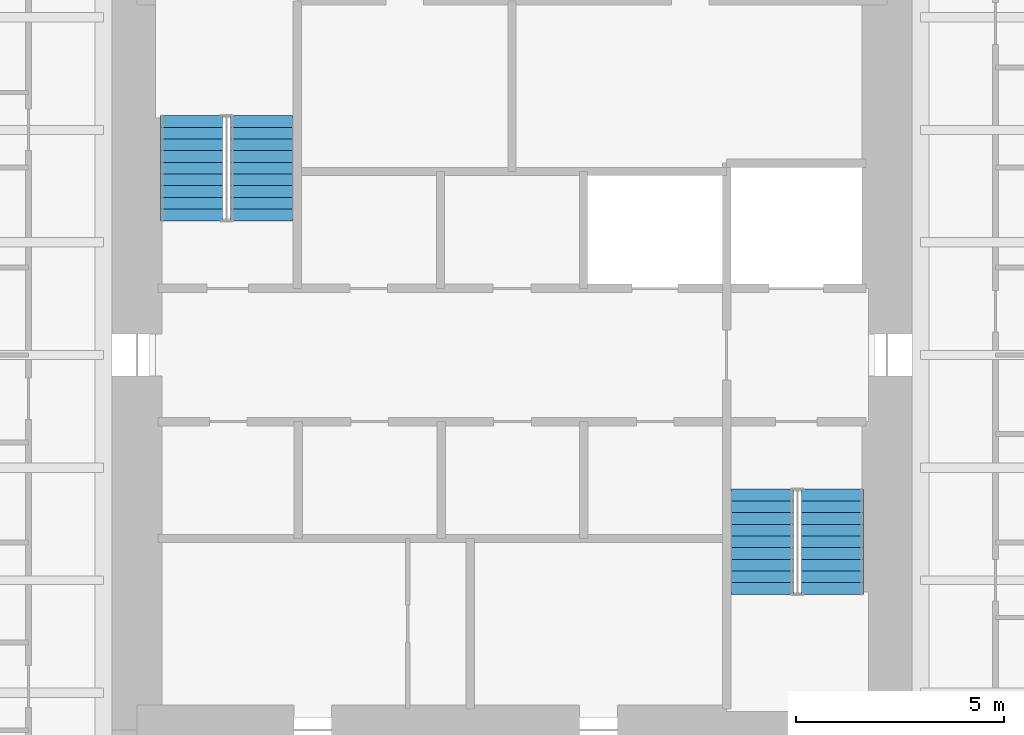
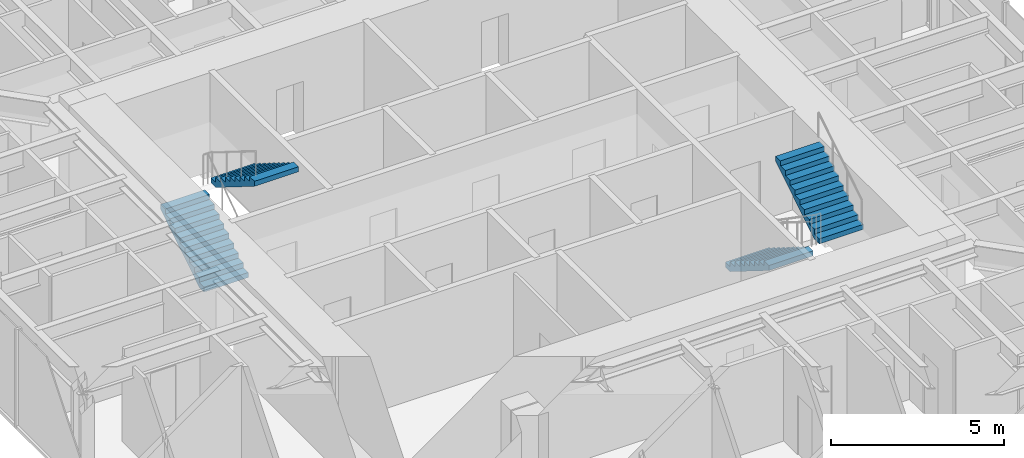
# One storey, part 10 of 11: 4 stair flights, 2 elements without a shape of their own.
"""IFC4 building model written with IfcOpenShell, lengths in metres."""

from ifc_helpers import new_model, si_unit, direction, frame, origin, place, context, subcontext, project, spatial, polyline, outline, extrude, material, constituent, constituent_set, type_object, element, aggregate, save


model = new_model("IFC4")

# Units and contexts
model_context = context("Model", 3, precision=1e-05, world=origin(), true_north=direction((0.0, 1.0)))
body_context = subcontext(model_context, "Body", "Model", "MODEL_VIEW")
ifc_project = project(units=[si_unit("LENGTHUNIT", "METRE"), si_unit("AREAUNIT", "SQUARE_METRE"), si_unit("VOLUMEUNIT", "CUBIC_METRE"), si_unit("PLANEANGLEUNIT", "RADIAN"), si_unit("MASSUNIT", "GRAM", prefix="KILO")], contexts=[model_context])

# Site, building, storey
site_placement = place(None, origin())
site = spatial("IfcSite", under=ifc_project, at=site_placement, CompositionType="ELEMENT")
building_placement = place(site_placement, origin())
building = spatial("IfcBuilding", under=site, at=building_placement, Name="Iwan Alto Co-Living Towers", CompositionType="ELEMENT")
storey_placement = place(building_placement, frame((0.0, 0.0, 222.0)))
storey = spatial("IfcBuildingStorey", under=building, at=storey_placement, Name="L60", CompositionType="ELEMENT", Elevation=222.0)

# Stair, stair flights
ifc_material_1 = material(Name="Steel ASTM A36", Category="steel")
ifc_constituent_1 = constituent(ifc_material_1, Name="Stringers", Category="LoadBearing")
ifc_material_2 = material(Name="Concrete f'c 30 MPa", Category="concrete")
ifc_constituent_2 = constituent(ifc_material_2, Name="Tread fill", Category="Finish")
ifc_constituent_set_1 = constituent_set(constituents=[ifc_constituent_1, ifc_constituent_2], Name="STAIR 3500 TWO-FLIGHT T1 CORE")
stair_type = type_object("IfcStairType", Name="STAIR 3500 TWO-FLIGHT T1 CORE", PredefinedType="HALF_TURN_STAIR", material=ifc_constituent_set_1)
stair_1_placement = place(storey_placement, origin())
stair_1 = element("IfcStair", 1, at=stair_1_placement, inside=storey, type_object=stair_type, Name="Stair T1-S1 L60 to L61", PredefinedType="HALF_TURN_STAIR")
ifc_constituent_3 = constituent(ifc_material_1, Name="Stringers", Category="LoadBearing")
ifc_constituent_4 = constituent(ifc_material_2, Name="Tread fill", Category="Finish")
ifc_constituent_set_2 = constituent_set(constituents=[ifc_constituent_3, ifc_constituent_4], Name="STAIR FLIGHT 10 RISERS 280 GOING")
stair_flight_type = type_object("IfcStairFlightType", Name="STAIR FLIGHT 10 RISERS 280 GOING", PredefinedType="STRAIGHT", material=ifc_constituent_set_2)
stair_flight_1_placement = place(storey_placement, frame((-7.68994140625, 3.219970703125, 0.0), z_axis=(0.0, 0.0, 1.0), x_axis=(0.0, 1.0, 0.0)))
stair_flight_1 = element("IfcStairFlight", 2, at=stair_flight_1_placement, type_object=stair_flight_type, Name="T1-S1 flight 1", NumberOfRisers=10, NumberOfTreads=9, PredefinedType="STRAIGHT", RiserHeight=0.175, TreadLength=0.28, context=body_context, shape_type="SweptSolid", body=[
    extrude(outline(polyline([(0.0, 0.0), (0.0, 0.175048828125), (0.280029296875, 0.175048828125), (0.280029296875, 0.35009765625), (0.56005859375, 0.35009765625), (0.56005859375, 0.52490234375), (0.840087890625, 0.52490234375), (0.840087890625, 0.699951171875), (1.1201171875, 0.699951171875), (1.1201171875, 0.875), (1.39990234375, 0.875), (1.39990234375, 1.050048828125), (1.679931640625, 1.050048828125), (1.679931640625, 1.22509765625), (1.9599609375, 1.22509765625), (1.9599609375, 1.39990234375), (2.239990234375, 1.39990234375), (2.239990234375, 1.574951171875), (2.52001953125, 1.574951171875), (2.52001953125, 1.75), (2.52001953125, 1.398193359375), (0.28271484375, 0.0), (0.0, 0.0)])), frame((0.0, 0.739990234375, 0.0), z_axis=(0.0, -1.0, 0.0), x_axis=(1.0, 0.0, 0.0)), (0.0, 0.0, 1.0), 1.47998046875),
])
stair_flight_2_placement = place(storey_placement, frame((-6.010009765625, 5.739990234375, 1.75), z_axis=(0.0, 0.0, 1.0), x_axis=(0.0, -1.0, 0.0)))
stair_flight_2 = element("IfcStairFlight", 3, at=stair_flight_2_placement, type_object=stair_flight_type, Name="T1-S1 flight 2", NumberOfRisers=10, NumberOfTreads=9, PredefinedType="STRAIGHT", RiserHeight=0.175, TreadLength=0.28, context=body_context, shape_type="SweptSolid", body=[
    extrude(outline(polyline([(0.0, 0.0), (0.0, 0.175048828125), (0.280029296875, 0.175048828125), (0.280029296875, 0.35009765625), (0.56005859375, 0.35009765625), (0.56005859375, 0.52490234375), (0.840087890625, 0.52490234375), (0.840087890625, 0.699951171875), (1.1201171875, 0.699951171875), (1.1201171875, 0.875), (1.39990234375, 0.875), (1.39990234375, 1.050048828125), (1.679931640625, 1.050048828125), (1.679931640625, 1.22509765625), (1.9599609375, 1.22509765625), (1.9599609375, 1.39990234375), (2.239990234375, 1.39990234375), (2.239990234375, 1.574951171875), (2.52001953125, 1.574951171875), (2.52001953125, 1.75), (2.52001953125, 1.398193359375), (0.28271484375, 0.0), (0.0, 0.0)])), frame((0.0, 0.739990234375, 0.0), z_axis=(0.0, -1.0, 0.0), x_axis=(1.0, 0.0, 0.0)), (0.0, 0.0, 1.0), 1.47998046875),
])
aggregate(stair_1, [stair_flight_1, stair_flight_2])

stair_2_placement = place(storey_placement, origin())
stair_2 = element("IfcStair", 4, at=stair_2_placement, inside=storey, type_object=stair_type, Name="Stair T1-S2 L60 to L61", PredefinedType="HALF_TURN_STAIR")
stair_flight_3_placement = place(storey_placement, frame((6.010009765625, -3.219970703125, 0.0), z_axis=(0.0, 0.0, 1.0), x_axis=(0.0, -1.0, 0.0)))
stair_flight_3 = element("IfcStairFlight", 5, at=stair_flight_3_placement, type_object=stair_flight_type, Name="T1-S2 flight 1", NumberOfRisers=10, NumberOfTreads=9, PredefinedType="STRAIGHT", RiserHeight=0.175, TreadLength=0.28, context=body_context, shape_type="SweptSolid", body=[
    extrude(outline(polyline([(0.0, 0.0), (0.0, 0.175048828125), (0.280029296875, 0.175048828125), (0.280029296875, 0.35009765625), (0.56005859375, 0.35009765625), (0.56005859375, 0.52490234375), (0.840087890625, 0.52490234375), (0.840087890625, 0.699951171875), (1.1201171875, 0.699951171875), (1.1201171875, 0.875), (1.39990234375, 0.875), (1.39990234375, 1.050048828125), (1.679931640625, 1.050048828125), (1.679931640625, 1.22509765625), (1.9599609375, 1.22509765625), (1.9599609375, 1.39990234375), (2.239990234375, 1.39990234375), (2.239990234375, 1.574951171875), (2.52001953125, 1.574951171875), (2.52001953125, 1.75), (2.52001953125, 1.398193359375), (0.28271484375, 0.0), (0.0, 0.0)])), frame((0.0, 0.739990234375, 0.0), z_axis=(0.0, -1.0, 0.0), x_axis=(1.0, 0.0, 0.0)), (0.0, 0.0, 1.0), 1.47998046875),
])
stair_flight_4_placement = place(storey_placement, frame((7.68994140625, -5.739990234375, 1.75), z_axis=(0.0, 0.0, 1.0), x_axis=(0.0, 1.0, 0.0)))
stair_flight_4 = element("IfcStairFlight", 6, at=stair_flight_4_placement, type_object=stair_flight_type, Name="T1-S2 flight 2", NumberOfRisers=10, NumberOfTreads=9, PredefinedType="STRAIGHT", RiserHeight=0.175, TreadLength=0.28, context=body_context, shape_type="SweptSolid", body=[
    extrude(outline(polyline([(0.0, 0.0), (0.0, 0.175048828125), (0.280029296875, 0.175048828125), (0.280029296875, 0.35009765625), (0.56005859375, 0.35009765625), (0.56005859375, 0.52490234375), (0.840087890625, 0.52490234375), (0.840087890625, 0.699951171875), (1.1201171875, 0.699951171875), (1.1201171875, 0.875), (1.39990234375, 0.875), (1.39990234375, 1.050048828125), (1.679931640625, 1.050048828125), (1.679931640625, 1.22509765625), (1.9599609375, 1.22509765625), (1.9599609375, 1.39990234375), (2.239990234375, 1.39990234375), (2.239990234375, 1.574951171875), (2.52001953125, 1.574951171875), (2.52001953125, 1.75), (2.52001953125, 1.398193359375), (0.28271484375, 0.0), (0.0, 0.0)])), frame((0.0, 0.739990234375, 0.0), z_axis=(0.0, -1.0, 0.0), x_axis=(1.0, 0.0, 0.0)), (0.0, 0.0, 1.0), 1.47998046875),
])
aggregate(stair_2, [stair_flight_3, stair_flight_4])

save(model, "model.ifc")
